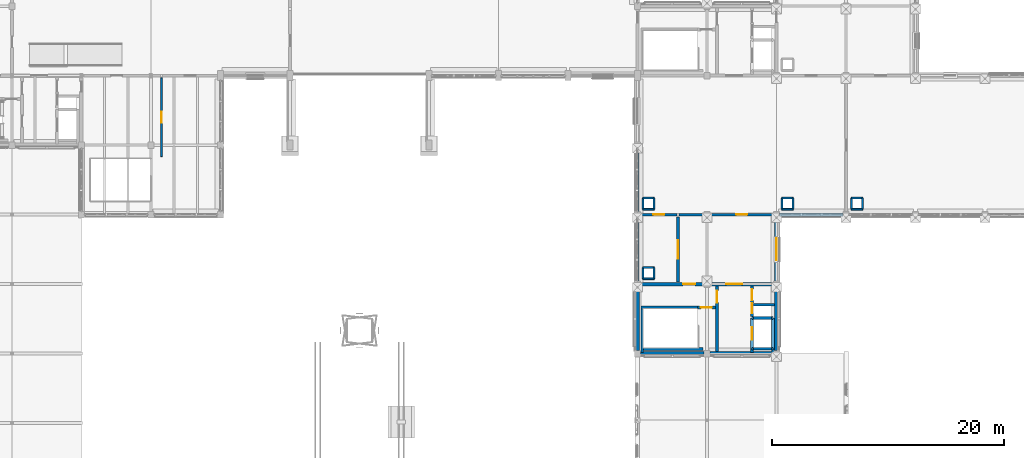
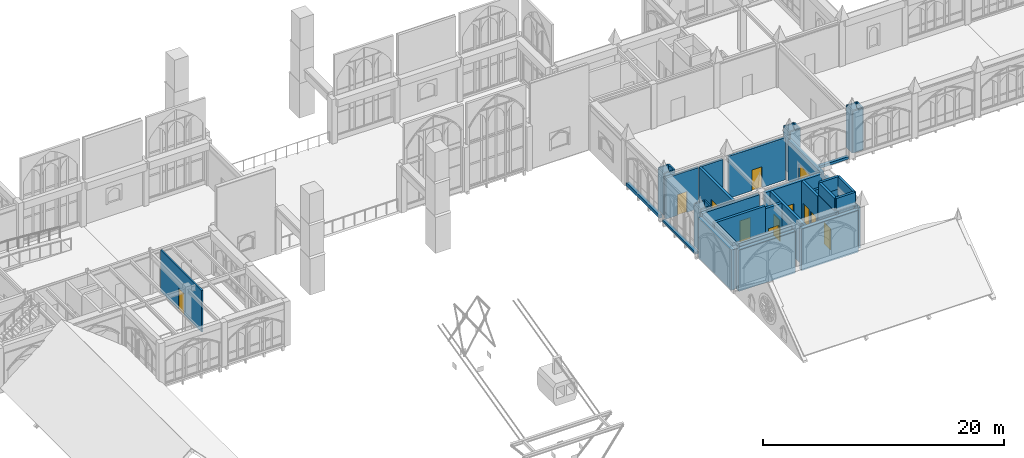
# One storey, part 78 of 108: 46 walls, 11 doors, 1 window, 12 openings.
"""IFC4 building model written with IfcOpenShell, lengths in metres."""

import ifcopenshell
import ifcopenshell.guid

model = None  # the IFC model being written
_history = None  # IfcOwnerHistory: only IFC2X3 demands one
_inside = {}  # id of a spatial element -> (the spatial element, [elements in it])
_under = {}  # id of a project, library or spatial element -> (it, [spatial elements below it])
_declared = {}  # id of a project -> (the project, [libraries it declares])
_typed = {}  # id of a type object -> (the type object, [elements of that type])
_made_of = {}  # id of a material, layer set ... -> (it, [elements and type objects made of it])


def new_model(schema):
    """Start an empty IFC model of exactly this schema.

    Asked for "IFC4X3", IfcOpenShell would pick the latest addendum, in which some entities
    have other attributes; the version numbers below select the first issue.
    IFC2X3 requires an IfcOwnerHistory on every rooted entity: one is made here for all.
    """
    global model, _history
    if schema == "IFC4X3":
        model = ifcopenshell.file(schema_version=(4, 3, 0, 0))
    else:
        model = ifcopenshell.file(schema=schema)
    _inside.clear()
    _under.clear()
    _declared.clear()
    _typed.clear()
    _made_of.clear()
    _history = None
    if model.schema == "IFC2X3":
        org = make("IfcOrganization", Name="unknown")
        user = make(
            "IfcPersonAndOrganization",
            ThePerson=make("IfcPerson", FamilyName="unknown"),
            TheOrganization=org,
        )
        app = make(
            "IfcApplication",
            ApplicationDeveloper=org,
            Version="unknown",
            ApplicationFullName="unknown",
            ApplicationIdentifier="unknown",
        )
        _history = make(
            "IfcOwnerHistory",
            OwningUser=user,
            OwningApplication=app,
            ChangeAction="ADDED",
            CreationDate=0,
        )
    return model


def make(cls, **values):
    """One entity of the class cls with the attributes given. An attribute that is None is left unset."""
    return model.create_entity(
        cls, **{name: value for name, value in values.items() if value is not None}
    )


def rooted(cls, **values):
    """An entity with a GlobalId (a new one), such as an element, a storey or a relation."""
    return make(cls, GlobalId=ifcopenshell.guid.new(), OwnerHistory=_history, **values)


def si_unit(unit_type, name, prefix=None):
    """IfcSIUnit, for example si_unit("LENGTHUNIT", "METRE", prefix="MILLI")."""
    return make("IfcSIUnit", UnitType=unit_type, Prefix=prefix, Name=name)


def assignment(units):
    """IfcUnitAssignment: the units of a project."""
    return None if units is None else make("IfcUnitAssignment", Units=units)


def point(xyz):
    """IfcCartesianPoint."""
    return None if xyz is None else make("IfcCartesianPoint", Coordinates=xyz)


def direction(xyz):
    """IfcDirection."""
    return None if xyz is None else make("IfcDirection", DirectionRatios=xyz)


def frame(location, z_axis=None, x_axis=None):
    """IfcAxis2Placement3D, a coordinate frame: its origin and axes. An axis left out is left unset."""
    return make(
        "IfcAxis2Placement3D",
        Location=point(location),
        Axis=direction(z_axis),
        RefDirection=direction(x_axis),
    )


def frame_2d(location, x_axis=None):
    """IfcAxis2Placement2D, a coordinate frame in the plane: its origin and x axis."""
    return make(
        "IfcAxis2Placement2D", Location=point(location), RefDirection=direction(x_axis)
    )


def origin():
    """The frame at (0, 0, 0) with its axes left unset."""
    return frame((0.0, 0.0, 0.0))


def place(relative_to, where):
    """IfcLocalPlacement: puts the frame where relative to a parent placement (None: the world)."""
    return make(
        "IfcLocalPlacement", PlacementRelTo=relative_to, RelativePlacement=where
    )


def context(
    kind, dimensions, precision=None, world=None, true_north=None, identifier=None
):
    """IfcGeometricRepresentationContext, for example the 3D "Model" context."""
    return make(
        "IfcGeometricRepresentationContext",
        ContextIdentifier=identifier,
        ContextType=kind,
        CoordinateSpaceDimension=dimensions,
        Precision=precision,
        WorldCoordinateSystem=world,
        TrueNorth=true_north,
    )


def subcontext(parent, identifier, kind, view, scale=None):
    """IfcGeometricRepresentationSubContext, for example "Body" below "Model"."""
    return make(
        "IfcGeometricRepresentationSubContext",
        ContextIdentifier=identifier,
        ContextType=kind,
        ParentContext=parent,
        TargetScale=scale,
        TargetView=view,
    )


def project(units=None, contexts=None):
    """IfcProject with its units and contexts."""
    return rooted(
        "IfcProject",
        Name="project",
        RepresentationContexts=contexts,
        UnitsInContext=assignment(units),
    )


def spatial(cls, under=None, at=None, **own):
    """A site, building, storey or space (cls), placed at a placement, below another one or the project."""
    s = rooted(cls, ObjectPlacement=at, **own)
    if under is not None:
        _under.setdefault(under.id(), (under, []))[1].append(s)
    return s


def profile(cls, at=None, kind="AREA", **sizes):
    """A parametric profile (cls). Its sizes go by their IFC names, for example OverallWidth=200.0."""
    return make(cls, ProfileType=kind, Position=at, **sizes)


def rectangle(**sizes):
    """IfcRectangleProfileDef."""
    return profile("IfcRectangleProfileDef", **sizes)


def extrude(swept, where, along, depth):
    """IfcExtrudedAreaSolid: the profile swept, set in the frame where, extruded along a direction by depth."""
    return make(
        "IfcExtrudedAreaSolid",
        SweptArea=swept,
        Position=where,
        ExtrudedDirection=direction(along),
        Depth=depth,
    )


def shape(context_of_items, identifier, shape_type, items):
    """IfcShapeRepresentation: the items that make up one representation, for example the "Body"."""
    return make(
        "IfcShapeRepresentation",
        ContextOfItems=context_of_items,
        RepresentationIdentifier=identifier,
        RepresentationType=shape_type,
        Items=items,
    )


def material(Name=None, Category=None):
    """IfcMaterial."""
    return make("IfcMaterial", Name=Name, Category=Category)


def layer(
    of_material, thickness, ventilated=None, Name=None, Category=None, Priority=None
):
    """IfcMaterialLayer: one layer of a wall or slab, of a material (None: an air gap)."""
    return make(
        "IfcMaterialLayer",
        Material=of_material,
        LayerThickness=thickness,
        IsVentilated=ventilated,
        Name=Name,
        Category=Category,
        Priority=Priority,
    )


def layer_set(layers, Name=None):
    """IfcMaterialLayerSet."""
    return make("IfcMaterialLayerSet", MaterialLayers=layers, LayerSetName=Name)


def made_of(thing, what):
    """Note that an element or type object is made of a material, layer set ...; save() writes the relation."""
    if what is not None:
        _made_of.setdefault(what.id(), (what, []))[1].append(thing)
    return thing


def type_object(cls, material=None, **own):
    """A type object (cls), such as IfcWallType, which elements share."""
    return made_of(rooted(cls, **own), material)


def element(
    cls,
    number,
    at=None,
    inside=None,
    cuts=None,
    type_object=None,
    material=None,
    context=None,
    identifier="Body",
    shape_type=None,
    held_by="IfcProductDefinitionShape",
    body=None,
    shapes=None,
    **own,
):
    """One element of the class cls, such as IfcWall. Its Tag is "e" and its number.

    at: its placement. inside: the storey or other place that contains it. cuts: it is an
    opening in that element (IfcRelVoidsElement). A single representation is given by context,
    identifier, shape_type and body (its items); several are given by shapes. held_by: the class
    of the entity that holds the representations. save() writes the other relations.
    """
    e = rooted(cls, Tag="e%d" % number, ObjectPlacement=at, **own)
    if body is not None:
        shapes = [shape(context, identifier, shape_type, body)]
    if shapes is not None:
        e.Representation = make(held_by, Representations=shapes)
    if inside is not None:
        _inside.setdefault(inside.id(), (inside, []))[1].append(e)
    if cuts is not None:
        rooted(
            "IfcRelVoidsElement", RelatingBuildingElement=cuts, RelatedOpeningElement=e
        )
    if type_object is not None:
        _typed.setdefault(type_object.id(), (type_object, []))[1].append(e)
    return made_of(e, material)


def fill(opening, filler):
    """IfcRelFillsElement: the door or window that sits in an opening."""
    return rooted(
        "IfcRelFillsElement",
        RelatingOpeningElement=opening,
        RelatedBuildingElement=filler,
    )


def aggregate(whole, parts):
    """IfcRelAggregates: a whole, such as a stair, and the parts it consists of."""
    return rooted("IfcRelAggregates", RelatingObject=whole, RelatedObjects=parts)


def save(model, path):
    """Write the relations noted so far, then the file.

    IfcRelAggregates (storeys below a building ...), IfcRelContainedInSpatialStructure (elements
    in a storey), IfcRelDefinesByType, IfcRelAssociatesMaterial and IfcRelDeclares: one each for
    every whole, place, type object, material and project.
    """
    for whole, parts in _under.values():
        aggregate(whole, parts)
    for where, things in _inside.values():
        rooted(
            "IfcRelContainedInSpatialStructure",
            RelatedElements=things,
            RelatingStructure=where,
        )
    for kind, things in _typed.values():
        rooted("IfcRelDefinesByType", RelatedObjects=things, RelatingType=kind)
    for what, things in _made_of.values():
        rooted("IfcRelAssociatesMaterial", RelatedObjects=things, RelatingMaterial=what)
    for by, libraries in _declared.values():
        rooted("IfcRelDeclares", RelatingContext=by, RelatedDefinitions=libraries)
    model.write(path)


model = new_model("IFC4")

# Units and contexts
model_context = context("Model", 3, precision=1e-05, world=origin(), true_north=direction((0.0, 1.0)))
body_context = subcontext(model_context, "Body", "Model", "MODEL_VIEW")
ifc_project = project(units=[si_unit("LENGTHUNIT", "METRE"), si_unit("AREAUNIT", "SQUARE_METRE"), si_unit("VOLUMEUNIT", "CUBIC_METRE"), si_unit("PLANEANGLEUNIT", "RADIAN"), si_unit("MASSUNIT", "GRAM", prefix="KILO")], contexts=[model_context])

# Site, building, storey
site_placement = place(None, origin())
site = spatial("IfcSite", under=ifc_project, at=site_placement, CompositionType="ELEMENT")
building_placement = place(site_placement, origin())
building = spatial("IfcBuilding", under=site, at=building_placement, Name="Cumevento Cable Car Station", CompositionType="ELEMENT")
storey_placement = place(building_placement, frame((0.0, 0.0, 13.5)))
storey = spatial("IfcBuildingStorey", under=building, at=storey_placement, Name="L04", CompositionType="ELEMENT", Elevation=13.5)

# Walls
ifc_material_1 = material(Name="Gnaisse Facoidal Stone Ashlar 85 MPa", Category="masonry")
ifc_layer_1 = layer(ifc_material_1, 0.294921875)
ifc_layer_set_1 = layer_set([ifc_layer_1], Name="Gnaisse Facoidal Stone Ashlar 85 MPa")
wall_type_1 = type_object("IfcWallType", Name="Exterior Envelope Wall EW-295 295", PredefinedType="SOLIDWALL", material=ifc_layer_set_1)
wall_1_placement = place(storey_placement, frame((118.0, 27.27490234375, 0.0), z_axis=(0.0, 0.0, 1.0), x_axis=(0.0, 1.0, 0.0)))
element("IfcWall", 1, at=wall_1_placement, inside=storey, type_object=wall_type_1, Name="Exterior Sill Curb Wall EW-295 L04 #354", PredefinedType="SOLIDWALL", context=body_context, shape_type="SweptSolid", body=[
    extrude(rectangle(XDim=5.4501953125, YDim=0.294921875, at=frame_2d((2.72509765625, 0.0))), origin(), (0.0, 0.0, 1.0), 0.2099609375),
])
wall_2_placement = place(storey_placement, frame((135.72509765625, 33.0, 0.0), z_axis=(0.0, 0.0, 1.0), x_axis=(-1.0, 0.0, 0.0)))
element("IfcWall", 2, at=wall_2_placement, inside=storey, type_object=wall_type_1, Name="Exterior Sill Curb Wall EW-295 L04 #356", PredefinedType="SOLIDWALL", context=body_context, shape_type="SweptSolid", body=[
    extrude(rectangle(XDim=5.4501953125, YDim=0.294921875, at=frame_2d((2.72509765625, 0.0))), origin(), (0.0, 0.0, 1.0), 0.260009765625),
])
wall_3_placement = place(storey_placement, frame((118.0, 33.27490234375, 0.0), z_axis=(0.0, 0.0, 1.0), x_axis=(0.0, 1.0, 0.0)))
element("IfcWall", 3, at=wall_3_placement, inside=storey, type_object=wall_type_1, Name="Exterior Sill Curb Wall EW-295 L04 #357", PredefinedType="SOLIDWALL", context=body_context, shape_type="SweptSolid", body=[
    extrude(rectangle(XDim=5.4501953125, YDim=0.294921875, at=frame_2d((2.72509765625, 0.0))), origin(), (0.0, 0.0, 1.0), 0.31005859375),
])

# Wall, opening, window
ifc_material_2 = material(Name="Gnaisse Facoidal Stone Ashlar 85 MPa", Category="masonry")
ifc_layer_2 = layer(ifc_material_2, 0.324951171875)
ifc_layer_set_2 = layer_set([ifc_layer_2], Name="Gnaisse Facoidal Stone Ashlar 85 MPa")
wall_type_2 = type_object("IfcWallType", Name="Exterior Envelope Wall EW-325 325", PredefinedType="SOLIDWALL", material=ifc_layer_set_2)
wall_4_placement = place(storey_placement, frame((130.0, 32.72509765625, 0.0), z_axis=(0.0, 0.0, 1.0), x_axis=(0.0, -1.0, 0.0)))
wall_4 = element("IfcWall", 4, at=wall_4_placement, inside=storey, type_object=wall_type_2, Name="Exterior Wall EW-325 L04 #355", PredefinedType="SOLIDWALL", context=body_context, shape_type="SweptSolid", body=[
    extrude(rectangle(XDim=5.4501953125, YDim=0.324951171875, at=frame_2d((2.72509765625, 0.0))), origin(), (0.0, 0.0, 1.0), 4.093017578125),
])
opening_1_placement = place(wall_4_placement, frame((1.77490234375, 0.0, 1.199951171875)))
opening_1 = element("IfcOpeningElement", 5, at=opening_1_placement, cuts=wall_4, Name="Opening WN-L04-095", PredefinedType="OPENING", context=body_context, shape_type="SweptSolid", body=[
    extrude(rectangle(XDim=1.89990234375, YDim=1.550048828125, at=frame_2d((0.949951171875, 0.77490234375))), frame((0.0, 0.172607421875, 0.0), z_axis=(0.0, -1.0, 0.0), x_axis=(1.0, 0.0, 0.0)), (0.0, 0.0, 1.0), 0.344970703125),
])
ifc_material_3 = material(Name="Anodised Bronze Aluminium & Laminated Solar Glass", Category="aluminium")
window_type = type_object("IfcWindowType", Name="Lancet Window WN-23 1900x1550", PartitioningType="DOUBLE_PANEL_VERTICAL", PredefinedType="WINDOW", material=ifc_material_3)
window_placement = place(opening_1_placement, origin())
window = element("IfcWindow", 6, at=window_placement, inside=storey, type_object=window_type, Name="Lancet Window WN-L04-095 (WN-23)", OverallHeight=1.550048828125, OverallWidth=1.89990234375, PartitioningType="SINGLE_PANEL", PredefinedType="WINDOW", context=body_context, shape_type="SweptSolid", body=[
    extrude(rectangle(XDim=1.89990234375, YDim=1.550048828125, at=frame_2d((0.949951171875, 0.77490234375))), frame((0.0, 0.030029296875, 0.0), z_axis=(0.0, -1.0, 0.0), x_axis=(1.0, 0.0, 0.0)), (0.0, 0.0, 1.0), 0.06005859375),
])
fill(opening_1, window)

# Walls
ifc_material_4 = material(Name="Concrete C40/50", Category="concrete")
ifc_layer_3 = layer(ifc_material_4, 0.35498046875)
ifc_layer_set_3 = layer_set([ifc_layer_3], Name="Concrete C40/50")
wall_type_3 = type_object("IfcWallType", Name="Exterior Envelope Wall EW-355 355", PredefinedType="SOLIDWALL", material=ifc_layer_set_3)
wall_5_placement = place(storey_placement, frame((123.72509765625, 21.0, 0.0), z_axis=(0.0, 0.0, 1.0), x_axis=(-1.0, 0.0, 0.0)))
element("IfcWall", 7, at=wall_5_placement, inside=storey, type_object=wall_type_3, Name="Exterior Wall EW-355 L04 #350", PredefinedType="SOLIDWALL", context=body_context, shape_type="SweptSolid", body=[
    extrude(rectangle(XDim=5.4501953125, YDim=0.35498046875, at=frame_2d((2.72509765625, 0.0))), origin(), (0.0, 0.0, 1.0), 4.194091796875),
])
wall_6_placement = place(storey_placement, frame((129.72509765625, 21.0, 0.0), z_axis=(0.0, 0.0, 1.0), x_axis=(-1.0, 0.0, 0.0)))
element("IfcWall", 8, at=wall_6_placement, inside=storey, type_object=wall_type_3, Name="Exterior Wall EW-355 L04 #351", PredefinedType="SOLIDWALL", context=body_context, shape_type="SweptSolid", body=[
    extrude(rectangle(XDim=5.4501953125, YDim=0.35498046875, at=frame_2d((2.72509765625, 0.0))), origin(), (0.0, 0.0, 1.0), 4.23388671875),
])
for number, where, z_axis, x_axis, name in (
    (9, (118.0, 21.27490234375, 0.0), (0.0, 0.0, 1.0), (0.0, 1.0, 0.0), "Exterior Wall EW-355 L04 #352"),
    (10, (130.0, 26.72509765625, 0.0), (0.0, 0.0, 1.0), (0.0, -1.0, 0.0), "Exterior Wall EW-355 L04 #353"),
):
    element("IfcWall", number, at=place(storey_placement, frame(where, z_axis=z_axis, x_axis=x_axis)), inside=storey, type_object=wall_type_3, Name=name, PredefinedType="SOLIDWALL", context=body_context, shape_type="SweptSolid", body=[
        extrude(rectangle(XDim=5.4501953125, YDim=0.35498046875, at=frame_2d((2.72509765625, 0.0))), origin(), (0.0, 0.0, 1.0), 4.093017578125),
    ])

# Wall, opening, door
ifc_material_5 = material(Name="Concrete C40/50", Category="concrete")
ifc_layer_4 = layer(ifc_material_5, 0.219970703125)
ifc_layer_set_4 = layer_set([ifc_layer_4], Name="Concrete C40/50")
wall_type_4 = type_object("IfcWallType", Name="Interior Partition FW-220 220", PredefinedType="SOLIDWALL", material=ifc_layer_set_4)
wall_7_placement = place(storey_placement, frame((118.277099609375, 33.0, 0.0), z_axis=(0.0, 0.0, 1.0), x_axis=(1.0, 0.0, 0.0)))
wall_7 = element("IfcWall", 11, at=wall_7_placement, inside=storey, type_object=wall_type_4, Name="Interior Wall FW-220 L04 #717", PredefinedType="SOLIDWALL", context=body_context, shape_type="SweptSolid", body=[
    extrude(rectangle(XDim=3.122802734375, YDim=0.219970703125, at=frame_2d((1.5615234375, 0.0))), origin(), (0.0, 0.0, 1.0), 4.14599609375),
])
opening_2_placement = place(wall_7_placement, frame((1.091552734375, 0.0, 0.0)))
opening_2 = element("IfcOpeningElement", 12, at=opening_2_placement, cuts=wall_7, Name="Opening DR-L04-295", PredefinedType="OPENING", context=body_context, shape_type="SweptSolid", body=[
    extrude(rectangle(XDim=0.93994140625, YDim=2.10009765625, at=frame_2d((0.469970703125, 1.050048828125))), frame((0.0, 0.119873046875, 0.0), z_axis=(0.0, -1.0, 0.0), x_axis=(1.0, 0.0, 0.0)), (0.0, 0.0, 1.0), 0.239990234375),
])
ifc_material_6 = material(Name="Galvanised Painted Steel Fire Door", Category="steel")
door_type_1 = type_object("IfcDoorType", Name="Interior Door FD-08 940x2100", OperationType="NOTDEFINED", PredefinedType="DOOR", material=ifc_material_6)
door_1_placement = place(opening_2_placement, origin())
door_1 = element("IfcDoor", 13, at=door_1_placement, inside=storey, type_object=door_type_1, Name="Interior Door DR-L04-295 (FD-08)", OperationType="SINGLE_SWING_RIGHT", OverallHeight=2.10009765625, OverallWidth=0.93994140625, PredefinedType="DOOR", context=body_context, shape_type="SweptSolid", body=[
    extrude(rectangle(XDim=0.93994140625, YDim=2.10009765625, at=frame_2d((0.469970703125, 1.050048828125))), frame((0.0, 0.02490234375, 0.0), z_axis=(0.0, -1.0, 0.0), x_axis=(1.0, 0.0, 0.0)), (0.0, 0.0, 1.0), 0.050048828125),
])
fill(opening_2, door_1)

wall_8_placement = place(storey_placement, frame((124.277099609375, 33.0, 0.0), z_axis=(0.0, 0.0, 1.0), x_axis=(1.0, 0.0, 0.0)))
wall_8 = element("IfcWall", 14, at=wall_8_placement, inside=storey, type_object=wall_type_4, Name="Interior Wall FW-220 L04 #718", PredefinedType="SOLIDWALL", context=body_context, shape_type="SweptSolid", body=[
    extrude(rectangle(XDim=5.44580078125, YDim=0.219970703125, at=frame_2d((2.722900390625, 0.0))), origin(), (0.0, 0.0, 1.0), 4.239990234375),
])
opening_3_placement = place(wall_8_placement, frame((2.2529296875, 0.0, 0.0)))
opening_3 = element("IfcOpeningElement", 15, at=opening_3_placement, cuts=wall_8, Name="Opening DR-L04-296", PredefinedType="OPENING", context=body_context, shape_type="SweptSolid", body=[
    extrude(rectangle(XDim=0.93994140625, YDim=2.10009765625, at=frame_2d((0.469970703125, 1.050048828125))), frame((0.0, 0.119873046875, 0.0), z_axis=(0.0, -1.0, 0.0), x_axis=(1.0, 0.0, 0.0)), (0.0, 0.0, 1.0), 0.239990234375),
])
door_2_placement = place(opening_3_placement, origin())
door_2 = element("IfcDoor", 16, at=door_2_placement, inside=storey, type_object=door_type_1, Name="Interior Door DR-L04-296 (FD-08)", OperationType="SINGLE_SWING_LEFT", OverallHeight=2.10009765625, OverallWidth=0.93994140625, PredefinedType="DOOR", context=body_context, shape_type="SweptSolid", body=[
    extrude(rectangle(XDim=0.93994140625, YDim=2.10009765625, at=frame_2d((0.469970703125, 1.050048828125))), frame((0.0, 0.02490234375, 0.0), z_axis=(0.0, -1.0, 0.0), x_axis=(1.0, 0.0, 0.0)), (0.0, 0.0, 1.0), 0.050048828125),
])
fill(opening_3, door_2)

# Walls
wall_9_placement = place(storey_placement, frame((121.60009765625, 33.0, 0.0), z_axis=(0.0, 0.0, 1.0), x_axis=(1.0, 0.0, 0.0)))
element("IfcWall", 17, at=wall_9_placement, inside=storey, type_object=wall_type_4, Name="Interior Wall FW-220 L04 #719", PredefinedType="SOLIDWALL", context=body_context, shape_type="SweptSolid", body=[
    extrude(rectangle(XDim=2.122802734375, YDim=0.219970703125, at=frame_2d((1.0615234375, 0.0))), origin(), (0.0, 0.0, 1.0), 4.14599609375),
])
ifc_material_7 = material(Name="Gypsum Board & Insulated Stud Partition", Category="gypsum")
ifc_layer_5 = layer(ifc_material_7, 0.14501953125)
ifc_layer_set_5 = layer_set([ifc_layer_5], Name="Gypsum Board & Insulated Stud Partition")
wall_type_5 = type_object("IfcWallType", Name="Interior Partition PT-145 145", PredefinedType="PARTITIONING", material=ifc_layer_set_5)
for number, where, z_axis, x_axis, name in (
    (18, (118.469970703125, 27.469970703125, 0.0), (0.0, 0.0, 1.0), (1.0, 0.0, 0.0), "Interior Wall PT-145 L04 #101"),
    (19, (119.429931640625, 27.469970703125, 0.0), (0.0, 0.0, 1.0), (0.0, 1.0, 0.0), "Interior Wall PT-145 L04 #102"),
    (20, (119.429931640625, 28.429931640625, 0.0), (0.0, 0.0, 1.0), (-1.0, 0.0, 0.0), "Interior Wall PT-145 L04 #103"),
    (21, (118.469970703125, 28.429931640625, 0.0), (0.0, 0.0, 1.0), (0.0, -1.0, 0.0), "Interior Wall PT-145 L04 #104"),
    (22, (118.469970703125, 33.469970703125, 0.0), (0.0, 0.0, 1.0), (1.0, 0.0, 0.0), "Interior Wall PT-145 L04 #113"),
    (23, (119.429931640625, 33.469970703125, 0.0), (0.0, 0.0, 1.0), (0.0, 1.0, 0.0), "Interior Wall PT-145 L04 #114"),
    (24, (119.429931640625, 34.429931640625, 0.0), (0.0, 0.0, 1.0), (-1.0, 0.0, 0.0), "Interior Wall PT-145 L04 #115"),
    (25, (118.469970703125, 34.429931640625, 0.0), (0.0, 0.0, 1.0), (0.0, -1.0, 0.0), "Interior Wall PT-145 L04 #116"),
    (26, (130.469970703125, 33.469970703125, 0.0), (0.0, 0.0, 1.0), (1.0, 0.0, 0.0), "Interior Wall PT-145 L04 #117"),
    (27, (131.429931640625, 33.469970703125, 0.0), (0.0, 0.0, 1.0), (0.0, 1.0, 0.0), "Interior Wall PT-145 L04 #118"),
    (28, (131.429931640625, 34.429931640625, 0.0), (0.0, 0.0, 1.0), (-1.0, 0.0, 0.0), "Interior Wall PT-145 L04 #119"),
    (29, (130.469970703125, 34.429931640625, 0.0), (0.0, 0.0, 1.0), (0.0, -1.0, 0.0), "Interior Wall PT-145 L04 #120"),
    (30, (136.469970703125, 33.469970703125, 0.0), (0.0, 0.0, 1.0), (1.0, 0.0, 0.0), "Interior Wall PT-145 L04 #121"),
    (31, (137.429931640625, 33.469970703125, 0.0), (0.0, 0.0, 1.0), (0.0, 1.0, 0.0), "Interior Wall PT-145 L04 #122"),
    (32, (137.429931640625, 34.429931640625, 0.0), (0.0, 0.0, 1.0), (-1.0, 0.0, 0.0), "Interior Wall PT-145 L04 #123"),
    (33, (136.469970703125, 34.429931640625, 0.0), (0.0, 0.0, 1.0), (0.0, -1.0, 0.0), "Interior Wall PT-145 L04 #124"),
):
    element("IfcWall", number, at=place(storey_placement, frame(where, z_axis=z_axis, x_axis=x_axis)), inside=storey, type_object=wall_type_5, Name=name, PredefinedType="PARTITIONING", context=body_context, shape_type="SweptSolid", body=[
        extrude(rectangle(XDim=0.9599609375, YDim=0.14501953125, at=frame_2d((0.47998046875, 0.0))), origin(), (0.0, 0.0, 1.0), 4.239990234375),
    ])

# Wall, opening, door
wall_10_placement = place(storey_placement, frame((76.89990234375, 38.0, 0.0), z_axis=(0.0, 0.0, 1.0), x_axis=(0.0, 1.0, 0.0)))
wall_10 = element("IfcWall", 34, at=wall_10_placement, inside=storey, type_object=wall_type_5, Name="Interior Wall PT-145 L04 #688", PredefinedType="PARTITIONING", context=body_context, shape_type="SweptSolid", body=[
    extrude(rectangle(XDim=6.800048828125, YDim=0.14501953125, at=frame_2d((3.39990234375, 0.0))), origin(), (0.0, 0.0, 1.0), 4.2041015625),
])
opening_4_placement = place(wall_10_placement, frame((2.929931640625, 0.0, 0.0)))
opening_4 = element("IfcOpeningElement", 35, at=opening_4_placement, cuts=wall_10, Name="Opening DR-L04-275", PredefinedType="OPENING", context=body_context, shape_type="SweptSolid", body=[
    extrude(rectangle(XDim=0.93994140625, YDim=2.10009765625, at=frame_2d((0.469970703125, 1.050048828125))), frame((0.0, 0.08251953125, 0.0), z_axis=(0.0, -1.0, 0.0), x_axis=(1.0, 0.0, 0.0)), (0.0, 0.0, 1.0), 0.1650390625),
])
door_3_placement = place(opening_4_placement, origin())
door_3 = element("IfcDoor", 36, at=door_3_placement, inside=storey, type_object=door_type_1, Name="Interior Door DR-L04-275 (FD-08)", OperationType="SINGLE_SWING_LEFT", OverallHeight=2.10009765625, OverallWidth=0.93994140625, PredefinedType="DOOR", context=body_context, shape_type="SweptSolid", body=[
    extrude(rectangle(XDim=0.93994140625, YDim=2.10009765625, at=frame_2d((0.469970703125, 1.050048828125))), frame((0.0, 0.02490234375, 0.0), z_axis=(0.0, -1.0, 0.0), x_axis=(1.0, 0.0, 0.0)), (0.0, 0.0, 1.0), 0.050048828125),
])
fill(opening_4, door_3)

ifc_material_8 = material(Name="Acoustic Masonry Block Partition", Category="masonry")
ifc_layer_6 = layer(ifc_material_8, 0.23193359375)
ifc_layer_set_6 = layer_set([ifc_layer_6], Name="Acoustic Masonry Block Partition")
wall_type_6 = type_object("IfcWallType", Name="Interior Partition PT-232 232", PredefinedType="PARTITIONING", material=ifc_layer_set_6)
wall_11_placement = place(storey_placement, frame((121.5, 27.199951171875, 0.0), z_axis=(0.0, 0.0, 1.0), x_axis=(0.0, 1.0, 0.0)))
wall_11 = element("IfcWall", 37, at=wall_11_placement, inside=storey, type_object=wall_type_6, Name="Interior Wall PT-232 L04 #716", PredefinedType="PARTITIONING", context=body_context, shape_type="SweptSolid", body=[
    extrude(rectangle(XDim=5.60009765625, YDim=0.23193359375, at=frame_2d((2.800048828125, 0.0))), origin(), (0.0, 0.0, 1.0), 4.239990234375),
])
opening_5_placement = place(wall_11_placement, frame((2.010009765625, 0.0, 0.0)))
opening_5 = element("IfcOpeningElement", 38, at=opening_5_placement, cuts=wall_11, Name="Opening DR-L04-294", PredefinedType="OPENING", context=body_context, shape_type="SweptSolid", body=[
    extrude(rectangle(XDim=1.580078125, YDim=2.199951171875, at=frame_2d((0.7900390625, 1.10009765625))), frame((0.0, 0.1259765625, 0.0), z_axis=(0.0, -1.0, 0.0), x_axis=(1.0, 0.0, 0.0)), (0.0, 0.0, 1.0), 0.251953125),
])
ifc_material_9 = material(Name="Galvanised Painted Steel Fire Door", Category="steel")
door_type_2 = type_object("IfcDoorType", Name="Interior Door FD-06 1580x2200", OperationType="NOTDEFINED", PredefinedType="DOOR", material=ifc_material_9)
door_4_placement = place(opening_5_placement, origin())
door_4 = element("IfcDoor", 39, at=door_4_placement, inside=storey, type_object=door_type_2, Name="Interior Door DR-L04-294 (FD-06)", OperationType="DOUBLE_DOOR_SINGLE_SWING", OverallHeight=2.199951171875, OverallWidth=1.580078125, PredefinedType="DOOR", context=body_context, shape_type="SweptSolid", body=[
    extrude(rectangle(XDim=1.580078125, YDim=2.199951171875, at=frame_2d((0.7900390625, 1.10009765625))), frame((0.0, 0.02490234375, 0.0), z_axis=(0.0, -1.0, 0.0), x_axis=(1.0, 0.0, 0.0)), (0.0, 0.0, 1.0), 0.050048828125),
])
fill(opening_5, door_4)

# Walls
ifc_material_10 = material(Name="Concrete C40/50", Category="concrete")
ifc_layer_7 = layer(ifc_material_10, 0.22998046875)
ifc_layer_set_7 = layer_set([ifc_layer_7], Name="Concrete C40/50")
wall_type_7 = type_object("IfcWallType", Name="Interior Shear Wall CW-230 230", PredefinedType="SHEAR", material=ifc_layer_set_7)
wall_12_placement = place(storey_placement, frame((127.8798828125, 21.419921875, 4.5), z_axis=(0.0, 0.0, 1.0), x_axis=(1.0, 0.0, 0.0)))
element("IfcWall", 40, at=wall_12_placement, inside=storey, type_object=wall_type_7, Name="Interior Wall CW-230 L04 #402", PredefinedType="SHEAR", context=body_context, shape_type="SweptSolid", body=[
    extrude(rectangle(XDim=1.820068359375, YDim=0.22998046875, at=frame_2d((0.91015625, 0.0))), origin(), (0.0, 0.0, 1.0), 1.25),
])
wall_13_placement = place(storey_placement, frame((129.699951171875, 21.419921875, 4.5), z_axis=(0.0, 0.0, 1.0), x_axis=(0.0, 1.0, 0.0)))
element("IfcWall", 41, at=wall_13_placement, inside=storey, type_object=wall_type_7, Name="Interior Wall CW-230 L04 #403", PredefinedType="SHEAR", context=body_context, shape_type="SweptSolid", body=[
    extrude(rectangle(XDim=2.66015625, YDim=0.22998046875, at=frame_2d((1.330078125, 0.0))), origin(), (0.0, 0.0, 1.0), 1.25),
])
wall_14_placement = place(storey_placement, frame((129.699951171875, 24.080078125, 4.5), z_axis=(0.0, 0.0, 1.0), x_axis=(-1.0, 0.0, 0.0)))
element("IfcWall", 42, at=wall_14_placement, inside=storey, type_object=wall_type_7, Name="Interior Wall CW-230 L04 #404", PredefinedType="SHEAR", context=body_context, shape_type="SweptSolid", body=[
    extrude(rectangle(XDim=1.820068359375, YDim=0.22998046875, at=frame_2d((0.91015625, 0.0))), origin(), (0.0, 0.0, 1.0), 1.25),
])
wall_15_placement = place(storey_placement, frame((127.8798828125, 24.080078125, 4.5), z_axis=(0.0, 0.0, 1.0), x_axis=(0.0, -1.0, 0.0)))
element("IfcWall", 43, at=wall_15_placement, inside=storey, type_object=wall_type_7, Name="Interior Wall CW-230 L04 #405", PredefinedType="SHEAR", context=body_context, shape_type="SweptSolid", body=[
    extrude(rectangle(XDim=2.66015625, YDim=0.22998046875, at=frame_2d((1.330078125, 0.0))), origin(), (0.0, 0.0, 1.0), 1.25),
])
wall_16_placement = place(storey_placement, frame((118.405029296875, 21.114990234375, 0.0), z_axis=(0.0, 0.0, 1.0), x_axis=(0.0, 1.0, 0.0)))
element("IfcWall", 44, at=wall_16_placement, inside=storey, type_object=wall_type_7, Name="Interior Wall CW-230 L04 #451", PredefinedType="SHEAR", context=body_context, shape_type="SweptSolid", body=[
    extrude(rectangle(XDim=3.735107421875, YDim=0.22998046875, at=frame_2d((1.86767578125, 0.0))), origin(), (0.0, 0.0, 1.0), 4.5),
])
wall_17_placement = place(storey_placement, frame((118.52001953125, 21.405029296875, 0.0), z_axis=(0.0, 0.0, 1.0), x_axis=(1.0, 0.0, 0.0)))
element("IfcWall", 45, at=wall_17_placement, inside=storey, type_object=wall_type_7, Name="Interior Wall CW-230 L04 #452", PredefinedType="SHEAR", context=body_context, shape_type="SweptSolid", body=[
    extrude(rectangle(XDim=5.1298828125, YDim=0.22998046875, at=frame_2d((2.56494140625, 0.0))), origin(), (0.0, 0.0, 1.0), 4.5),
])
wall_18_placement = place(storey_placement, frame((128.0048828125, 21.419921875, 0.0), z_axis=(0.0, 0.0, 1.0), x_axis=(1.0, 0.0, 0.0)))
element("IfcWall", 46, at=wall_18_placement, inside=storey, type_object=wall_type_7, Name="Interior Wall CW-230 L04 #457", PredefinedType="SHEAR", context=body_context, shape_type="SweptSolid", body=[
    extrude(rectangle(XDim=1.580078125, YDim=0.22998046875, at=frame_2d((0.7900390625, 0.0))), origin(), (0.0, 0.0, 1.0), 4.5),
])
wall_19_placement = place(storey_placement, frame((129.699951171875, 21.114990234375, 0.0), z_axis=(0.0, 0.0, 1.0), x_axis=(0.0, 1.0, 0.0)))
element("IfcWall", 47, at=wall_19_placement, inside=storey, type_object=wall_type_7, Name="Interior Wall CW-230 L04 #458", PredefinedType="SHEAR", context=body_context, shape_type="SweptSolid", body=[
    extrude(rectangle(XDim=2.965087890625, YDim=0.22998046875, at=frame_2d((1.482421875, 0.0))), origin(), (0.0, 0.0, 1.0), 4.5),
])
wall_20_placement = place(storey_placement, frame((128.0048828125, 24.080078125, 0.0), z_axis=(0.0, 0.0, 1.0), x_axis=(1.0, 0.0, 0.0)))
element("IfcWall", 48, at=wall_20_placement, inside=storey, type_object=wall_type_7, Name="Interior Wall CW-230 L04 #459", PredefinedType="SHEAR", context=body_context, shape_type="SweptSolid", body=[
    extrude(rectangle(XDim=1.580078125, YDim=0.22998046875, at=frame_2d((0.7900390625, 0.0))), origin(), (0.0, 0.0, 1.0), 4.5),
])
wall_21_placement = place(storey_placement, frame((128.0048828125, 25.219970703125, 0.0), z_axis=(0.0, 0.0, 1.0), x_axis=(1.0, 0.0, 0.0)))
element("IfcWall", 49, at=wall_21_placement, inside=storey, type_object=wall_type_7, Name="Interior Wall CW-230 L04 #461", PredefinedType="SHEAR", context=body_context, shape_type="SweptSolid", body=[
    extrude(rectangle(XDim=1.820068359375, YDim=0.22998046875, at=frame_2d((0.91015625, 0.0))), origin(), (0.0, 0.0, 1.0), 4.239990234375),
])
ifc_material_11 = material(Name="Concrete C40/50", Category="concrete")
ifc_layer_8 = layer(ifc_material_11, 0.25)
ifc_layer_set_8 = layer_set([ifc_layer_8], Name="Concrete C40/50")
wall_type_8 = type_object("IfcWallType", Name="Interior Shear Wall CW-250 250", PredefinedType="SHEAR", material=ifc_layer_set_8)
wall_22_placement = place(storey_placement, frame((118.2900390625, 24.97509765625, 0.0), z_axis=(0.0, 0.0, 1.0), x_axis=(1.0, 0.0, 0.0)))
element("IfcWall", 50, at=wall_22_placement, inside=storey, type_object=wall_type_8, Name="Interior Wall CW-250 L04 #453", PredefinedType="SHEAR", context=body_context, shape_type="SweptSolid", body=[
    extrude(rectangle(XDim=4.869873046875, YDim=0.25, at=frame_2d((2.43505859375, 0.0))), origin(), (0.0, 0.0, 1.0), 4.5),
])

# Wall, opening, door
wall_23_placement = place(storey_placement, frame((123.159912109375, 24.97509765625, 0.0), z_axis=(0.0, 0.0, 1.0), x_axis=(1.0, 0.0, 0.0)))
wall_23 = element("IfcWall", 51, at=wall_23_placement, inside=storey, type_object=wall_type_8, Name="Interior Wall CW-250 L04 #454", PredefinedType="SHEAR", context=body_context, shape_type="SweptSolid", body=[
    extrude(rectangle(XDim=1.580078125, YDim=0.25, at=frame_2d((0.7900390625, 0.0))), origin(), (0.0, 0.0, 1.0), 4.239990234375),
])
opening_6_placement = place(wall_23_placement, frame((0.31005859375, 0.0, 0.0)))
opening_6 = element("IfcOpeningElement", 52, at=opening_6_placement, cuts=wall_23, Name="Opening DR-L04-148", PredefinedType="OPENING", context=body_context, shape_type="SweptSolid", body=[
    extrude(rectangle(XDim=0.9599609375, YDim=2.1201171875, at=frame_2d((0.47998046875, 1.06005859375))), frame((0.0, 0.135009765625, 0.0), z_axis=(0.0, -1.0, 0.0), x_axis=(1.0, 0.0, 0.0)), (0.0, 0.0, 1.0), 0.27001953125),
])
ifc_material_12 = material(Name="Galvanised Painted Steel Fire Door", Category="steel")
door_type_3 = type_object("IfcDoorType", Name="Interior Door FD-01 960x2120", OperationType="NOTDEFINED", PredefinedType="DOOR", material=ifc_material_12)
door_5_placement = place(opening_6_placement, origin())
door_5 = element("IfcDoor", 53, at=door_5_placement, inside=storey, type_object=door_type_3, Name="Stair ST-05 Enclosure Door L04", OperationType="SINGLE_SWING_LEFT", OverallHeight=2.1201171875, OverallWidth=0.9599609375, PredefinedType="DOOR", context=body_context, shape_type="SweptSolid", body=[
    extrude(rectangle(XDim=0.9599609375, YDim=2.1201171875, at=frame_2d((0.47998046875, 1.06005859375))), frame((0.0, 0.02490234375, 0.0), z_axis=(0.0, -1.0, 0.0), x_axis=(1.0, 0.0, 0.0)), (0.0, 0.0, 1.0), 0.050048828125),
])
fill(opening_6, door_5)

wall_24_placement = place(storey_placement, frame((124.864990234375, 21.175048828125, 0.0), z_axis=(0.0, 0.0, 1.0), x_axis=(0.0, 1.0, 0.0)))
wall_24 = element("IfcWall", 54, at=wall_24_placement, inside=storey, type_object=wall_type_8, Name="Interior Wall CW-250 L04 #455", PredefinedType="SHEAR", context=body_context, shape_type="SweptSolid", body=[
    extrude(rectangle(XDim=5.675048828125, YDim=0.25, at=frame_2d((2.83740234375, 0.0))), origin(), (0.0, 0.0, 1.0), 4.239990234375),
])
opening_7_placement = place(wall_24_placement, frame((4.22509765625, 0.0, 0.0)))
opening_7 = element("IfcOpeningElement", 55, at=opening_7_placement, cuts=wall_24, Name="Opening DR-L04-149", PredefinedType="OPENING", context=body_context, shape_type="SweptSolid", body=[
    extrude(rectangle(XDim=1.0400390625, YDim=2.139892578125, at=frame_2d((0.52001953125, 1.06982421875))), frame((0.0, 0.135009765625, 0.0), z_axis=(0.0, -1.0, 0.0), x_axis=(1.0, 0.0, 0.0)), (0.0, 0.0, 1.0), 0.27001953125),
])
ifc_material_13 = material(Name="Galvanised Painted Steel Fire Door", Category="steel")
door_type_4 = type_object("IfcDoorType", Name="Interior Door FD-02 1040x2140", OperationType="NOTDEFINED", PredefinedType="DOOR", material=ifc_material_13)
door_6_placement = place(opening_7_placement, origin())
door_6 = element("IfcDoor", 56, at=door_6_placement, inside=storey, type_object=door_type_4, Name="Lobby Vestibule Door CORE5 L04", OperationType="SINGLE_SWING_RIGHT", OverallHeight=2.139892578125, OverallWidth=1.0400390625, PredefinedType="DOOR", context=body_context, shape_type="SweptSolid", body=[
    extrude(rectangle(XDim=1.0400390625, YDim=2.139892578125, at=frame_2d((0.52001953125, 1.06982421875))), frame((0.0, 0.02490234375, 0.0), z_axis=(0.0, -1.0, 0.0), x_axis=(1.0, 0.0, 0.0)), (0.0, 0.0, 1.0), 0.050048828125),
])
fill(opening_7, door_6)

wall_25_placement = place(storey_placement, frame((127.8798828125, 21.114990234375, 0.0), z_axis=(0.0, 0.0, 1.0), x_axis=(0.0, 1.0, 0.0)))
wall_25 = element("IfcWall", 57, at=wall_25_placement, inside=storey, type_object=wall_type_8, Name="Interior Wall CW-250 L04 #456", PredefinedType="SHEAR", context=body_context, shape_type="SweptSolid", body=[
    extrude(rectangle(XDim=2.965087890625, YDim=0.25, at=frame_2d((1.482421875, 0.0))), origin(), (0.0, 0.0, 1.0), 4.5),
])
opening_8_placement = place(wall_25_placement, frame((1.094970703125, 0.0, 0.0)))
opening_8 = element("IfcOpeningElement", 58, at=opening_8_placement, cuts=wall_25, Name="Opening LD-LF05-L04", PredefinedType="OPENING", context=body_context, shape_type="SweptSolid", body=[
    extrude(rectangle(XDim=1.080078125, YDim=2.14990234375, at=frame_2d((0.5400390625, 1.074951171875))), frame((0.0, 0.135009765625, 0.0), z_axis=(0.0, -1.0, 0.0), x_axis=(1.0, 0.0, 0.0)), (0.0, 0.0, 1.0), 0.27001953125),
])
ifc_material_14 = material(Name="Brushed Stainless Steel Lift Door", Category="steel")
door_type_5 = type_object("IfcDoorType", Name="Interior Door LD-01 1080x2150", OperationType="NOTDEFINED", PredefinedType="DOOR", material=ifc_material_14)
door_7_placement = place(opening_8_placement, origin())
door_7 = element("IfcDoor", 59, at=door_7_placement, inside=storey, type_object=door_type_5, Name="Lift Landing Door LD-LF05-L04", OperationType="DOUBLE_DOOR_SLIDING", OverallHeight=2.14990234375, OverallWidth=1.080078125, PredefinedType="DOOR", context=body_context, shape_type="SweptSolid", body=[
    extrude(rectangle(XDim=1.080078125, YDim=2.14990234375, at=frame_2d((0.5400390625, 1.074951171875))), frame((0.0, 0.02490234375, 0.0), z_axis=(0.0, -1.0, 0.0), x_axis=(1.0, 0.0, 0.0)), (0.0, 0.0, 1.0), 0.050048828125),
])
fill(opening_8, door_7)

# Wall, openings, doors
wall_26_placement = place(storey_placement, frame((127.8798828125, 24.199951171875, 0.0), z_axis=(0.0, 0.0, 1.0), x_axis=(0.0, 1.0, 0.0)))
wall_26 = element("IfcWall", 60, at=wall_26_placement, inside=storey, type_object=wall_type_8, Name="Interior Wall CW-250 L04 #460", PredefinedType="SHEAR", context=body_context, shape_type="SweptSolid", body=[
    extrude(rectangle(XDim=2.650146484375, YDim=0.25, at=frame_2d((1.3251953125, 0.0))), origin(), (0.0, 0.0, 1.0), 4.239990234375),
])
opening_9_placement = place(wall_26_placement, frame((0.280029296875, 0.0, 0.0)))
opening_9 = element("IfcOpeningElement", 61, at=opening_9_placement, cuts=wall_26, Name="Opening DR-L04-151", PredefinedType="OPENING", context=body_context, shape_type="SweptSolid", body=[
    extrude(rectangle(XDim=0.8798828125, YDim=2.080078125, at=frame_2d((0.43994140625, 1.0400390625))), frame((0.0, 0.135009765625, 0.0), z_axis=(0.0, -1.0, 0.0), x_axis=(1.0, 0.0, 0.0)), (0.0, 0.0, 1.0), 0.27001953125),
])
opening_10_placement = place(wall_26_placement, frame((1.39990234375, 0.0, 0.0)))
opening_10 = element("IfcOpeningElement", 62, at=opening_10_placement, cuts=wall_26, Name="Opening DR-L04-152", PredefinedType="OPENING", context=body_context, shape_type="SweptSolid", body=[
    extrude(rectangle(XDim=0.9599609375, YDim=2.1201171875, at=frame_2d((0.47998046875, 1.06005859375))), frame((0.0, 0.135009765625, 0.0), z_axis=(0.0, -1.0, 0.0), x_axis=(1.0, 0.0, 0.0)), (0.0, 0.0, 1.0), 0.27001953125),
])
door_8_placement = place(opening_10_placement, origin())
door_8 = element("IfcDoor", 63, at=door_8_placement, inside=storey, type_object=door_type_3, Name="East Vestibule Lobby Door CORE5 L04", OperationType="SINGLE_SWING_RIGHT", OverallHeight=2.1201171875, OverallWidth=0.9599609375, PredefinedType="DOOR", context=body_context, shape_type="SweptSolid", body=[
    extrude(rectangle(XDim=0.9599609375, YDim=2.1201171875, at=frame_2d((0.47998046875, 1.06005859375))), frame((0.0, 0.02490234375, 0.0), z_axis=(0.0, -1.0, 0.0), x_axis=(1.0, 0.0, 0.0)), (0.0, 0.0, 1.0), 0.050048828125),
])
fill(opening_10, door_8)
ifc_material_15 = material(Name="Galvanised Painted Steel Fire Door", Category="steel")
door_type_6 = type_object("IfcDoorType", Name="Interior Door FD-07 880x2080", OperationType="NOTDEFINED", PredefinedType="DOOR", material=ifc_material_15)
door_9_placement = place(opening_9_placement, origin())
door_9 = element("IfcDoor", 64, at=door_9_placement, inside=storey, type_object=door_type_6, Name="MEP Riser Access Door CORE5 L04", OperationType="SINGLE_SWING_LEFT", OverallHeight=2.080078125, OverallWidth=0.8798828125, PredefinedType="DOOR", context=body_context, shape_type="SweptSolid", body=[
    extrude(rectangle(XDim=0.8798828125, YDim=2.080078125, at=frame_2d((0.43994140625, 1.0400390625))), frame((0.0, 0.02490234375, 0.0), z_axis=(0.0, -1.0, 0.0), x_axis=(1.0, 0.0, 0.0)), (0.0, 0.0, 1.0), 0.050048828125),
])
fill(opening_9, door_9)

# Wall, opening, door
ifc_material_16 = material(Name="Concrete C40/50", Category="concrete")
ifc_layer_9 = layer(ifc_material_16, 0.300048828125)
ifc_layer_set_9 = layer_set([ifc_layer_9], Name="Concrete C40/50")
wall_type_9 = type_object("IfcWallType", Name="Interior Shear Wall CW-300 300", PredefinedType="SHEAR", material=ifc_layer_set_9)
wall_27_placement = place(storey_placement, frame((118.27490234375, 27.0, 0.0), z_axis=(0.0, 0.0, 1.0), x_axis=(1.0, 0.0, 0.0)))
wall_27 = element("IfcWall", 65, at=wall_27_placement, inside=storey, type_object=wall_type_9, Name="Interior Wall CW-300 L04 #449", PredefinedType="SHEAR", context=body_context, shape_type="SweptSolid", body=[
    extrude(rectangle(XDim=5.4501953125, YDim=0.300048828125, at=frame_2d((2.72509765625, 0.0))), origin(), (0.0, 0.0, 1.0), 4.239990234375),
])
opening_11_placement = place(wall_27_placement, frame((3.655029296875, 0.0, 0.0)))
opening_11 = element("IfcOpeningElement", 66, at=opening_11_placement, cuts=wall_27, Name="Opening DR-L04-146", PredefinedType="OPENING", context=body_context, shape_type="SweptSolid", body=[
    extrude(rectangle(XDim=1.0400390625, YDim=2.139892578125, at=frame_2d((0.52001953125, 1.06982421875))), frame((0.0, 0.159912109375, 0.0), z_axis=(0.0, -1.0, 0.0), x_axis=(1.0, 0.0, 0.0)), (0.0, 0.0, 1.0), 0.320068359375),
])
door_10_placement = place(opening_11_placement, origin())
door_10 = element("IfcDoor", 67, at=door_10_placement, inside=storey, type_object=door_type_4, Name="Core CORE5 N_vest Fire Door L04", OperationType="SINGLE_SWING_RIGHT", OverallHeight=2.139892578125, OverallWidth=1.0400390625, PredefinedType="DOOR", context=body_context, shape_type="SweptSolid", body=[
    extrude(rectangle(XDim=1.0400390625, YDim=2.139892578125, at=frame_2d((0.52001953125, 1.06982421875))), frame((0.0, 0.02490234375, 0.0), z_axis=(0.0, -1.0, 0.0), x_axis=(1.0, 0.0, 0.0)), (0.0, 0.0, 1.0), 0.050048828125),
])
fill(opening_11, door_10)

wall_28_placement = place(storey_placement, frame((124.27490234375, 27.0, 0.0), z_axis=(0.0, 0.0, 1.0), x_axis=(1.0, 0.0, 0.0)))
wall_28 = element("IfcWall", 68, at=wall_28_placement, inside=storey, type_object=wall_type_9, Name="Interior Wall CW-300 L04 #450", PredefinedType="SHEAR", context=body_context, shape_type="SweptSolid", body=[
    extrude(rectangle(XDim=5.4501953125, YDim=0.300048828125, at=frame_2d((2.72509765625, 0.0))), origin(), (0.0, 0.0, 1.0), 4.239990234375),
])
opening_12_placement = place(wall_28_placement, frame((1.385009765625, 0.0, 0.0)))
opening_12 = element("IfcOpeningElement", 69, at=opening_12_placement, cuts=wall_28, Name="Opening DR-L04-147", PredefinedType="OPENING", context=body_context, shape_type="SweptSolid", body=[
    extrude(rectangle(XDim=1.3798828125, YDim=2.159912109375, at=frame_2d((0.68994140625, 1.080078125))), frame((0.0, 0.159912109375, 0.0), z_axis=(0.0, -1.0, 0.0), x_axis=(1.0, 0.0, 0.0)), (0.0, 0.0, 1.0), 0.320068359375),
])
ifc_material_17 = material(Name="Galvanised Painted Steel Fire Door", Category="steel")
door_type_7 = type_object("IfcDoorType", Name="Interior Door FD-04 1380x2160", OperationType="NOTDEFINED", PredefinedType="DOOR", material=ifc_material_17)
door_11_placement = place(opening_12_placement, origin())
door_11 = element("IfcDoor", 70, at=door_11_placement, inside=storey, type_object=door_type_7, Name="Core CORE5 N_lobby Fire Door L04", OperationType="DOUBLE_DOOR_SINGLE_SWING", OverallHeight=2.159912109375, OverallWidth=1.3798828125, PredefinedType="DOOR", context=body_context, shape_type="SweptSolid", body=[
    extrude(rectangle(XDim=1.3798828125, YDim=2.159912109375, at=frame_2d((0.68994140625, 1.080078125))), frame((0.0, 0.02490234375, 0.0), z_axis=(0.0, -1.0, 0.0), x_axis=(1.0, 0.0, 0.0)), (0.0, 0.0, 1.0), 0.050048828125),
])
fill(opening_12, door_11)

save(model, "model.ifc")
